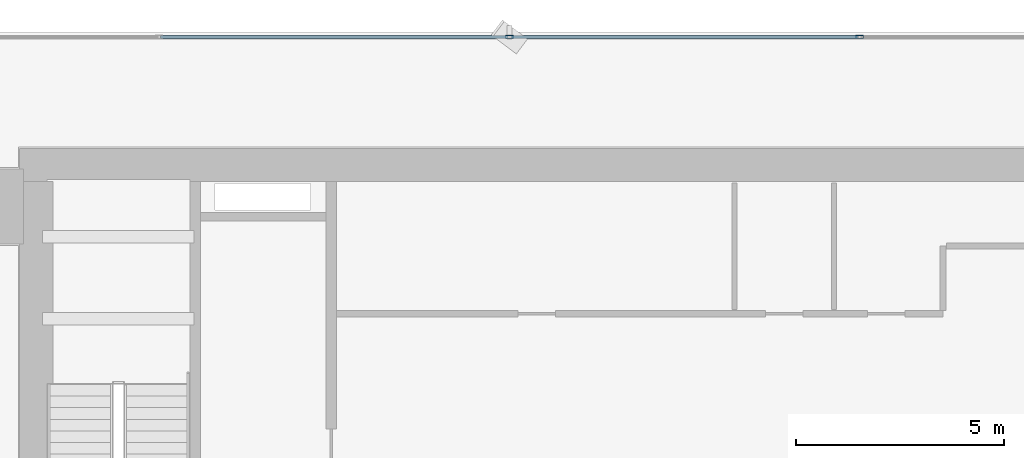
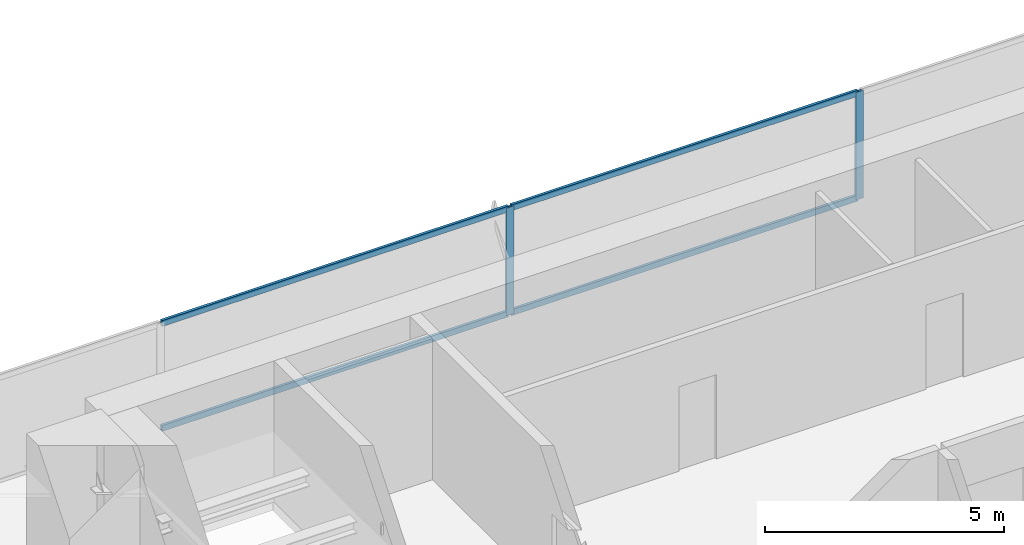
# One storey, part 18 of 32: 6 members, 1 element without a shape of its own.
"""IFC4 building model written with IfcOpenShell, lengths in metres."""

from ifc_helpers import new_model, si_unit, direction, frame, origin, origin_2d, place, context, subcontext, project, spatial, hollow_rectangle, extrude, source, transform, mapped, material, layer, layer_set, material_profile, profile_set, type_object, element, aggregate, save


model = new_model("IFC4")

# Units and contexts
model_context = context("Model", 3, precision=1e-05, world=origin(), true_north=direction((0.0, 1.0)))
body_context = subcontext(model_context, "Body", "Model", "MODEL_VIEW")
ifc_project = project(units=[si_unit("LENGTHUNIT", "METRE"), si_unit("AREAUNIT", "SQUARE_METRE"), si_unit("VOLUMEUNIT", "CUBIC_METRE"), si_unit("PLANEANGLEUNIT", "RADIAN"), si_unit("MASSUNIT", "GRAM", prefix="KILO")], contexts=[model_context])

# Site, building, storey
site_placement = place(None, origin())
site = spatial("IfcSite", under=ifc_project, at=site_placement, CompositionType="ELEMENT")
building_placement = place(site_placement, origin())
building = spatial("IfcBuilding", under=site, at=building_placement, Name="Sumidabori Civic Tower", CompositionType="ELEMENT")
storey_placement = place(building_placement, frame((0.0, 0.0, 45.199951171875)))
storey = spatial("IfcBuildingStorey", under=building, at=storey_placement, Name="L11", CompositionType="ELEMENT", Elevation=45.199951171875)

# Curtain wall, members
ifc_material = material(Name="Anodised Bronze Aluminium AW-6063-T6", Category="aluminium")
ifc_layer = layer(ifc_material, 0.179931640625, Name="Anodised Bronze Aluminium AW-6063-T6")
ifc_layer_set = layer_set([ifc_layer], Name="Anodised Bronze Aluminium AW-6063-T6")
curtain_wall_type = type_object("IfcCurtainWallType", Name="CW-SYS-2", PredefinedType="NOTDEFINED", material=ifc_layer_set)
curtain_wall_placement = place(storey_placement, origin())
curtain_wall = element("IfcCurtainWall", 1, at=curtain_wall_placement, inside=storey, type_object=curtain_wall_type, Name="Curtain Wall CW:L11:R07", PredefinedType="NOTDEFINED")
ifc_material_profile_1 = material_profile(ifc_material, hollow_rectangle(XDim=0.070068359375, YDim=0.179931640625, WallThickness=0.006103515625, at=origin_2d()), Name="ALU MULLION 180x70")
ifc_profile_set_1 = profile_set([ifc_material_profile_1], Name="Anodised Bronze Aluminium AW-6063-T6")
member_type_1 = type_object("IfcMemberType", Name="CW-MUL-180", PredefinedType="MULLION", material=ifc_profile_set_1)
shared_shape_1 = source(origin(), body_context, "Body", "SweptSolid", [
    extrude(hollow_rectangle(XDim=0.070068359375, YDim=0.179931640625, WallThickness=0.006103515625, at=origin_2d()), origin(), (0.0, 0.0, 1.0), 2.739990234375),
])
member_1_placement = place(storey_placement, frame((4.214111328125, 26.8798828125, 0.0), z_axis=(0.0, 0.0, 1.0), x_axis=(0.0, -1.0, 0.0)))
member_1 = element("IfcMember", 2, at=member_1_placement, type_object=member_type_1, Name="CW-2 mullion 3", PredefinedType="MULLION", context=body_context, shape_type="MappedRepresentation", body=[
    mapped(shared_shape_1, transform((0.0, 0.0, 0.0), x_axis=(1.0, 0.0, 0.0), y_axis=(0.0, 1.0, 0.0), z_axis=(0.0, 0.0, 1.0), scale=1.0)),
])
member_2_placement = place(storey_placement, frame((-4.214111328125, 26.8798828125, 0.0), z_axis=(0.0, 0.0, 1.0), x_axis=(0.0, -1.0, 0.0)))
member_2 = element("IfcMember", 3, at=member_2_placement, type_object=member_type_1, Name="CW-2 mullion 4", PredefinedType="MULLION", context=body_context, shape_type="MappedRepresentation", body=[
    mapped(shared_shape_1, transform((0.0, 0.0, 0.0), x_axis=(1.0, 0.0, 0.0), y_axis=(0.0, 1.0, 0.0), z_axis=(0.0, 0.0, 1.0), scale=1.0)),
])
ifc_material_profile_2 = material_profile(ifc_material, hollow_rectangle(XDim=0.06494140625, YDim=0.14990234375, WallThickness=0.0048828125, at=origin_2d()), Name="ALU TRANSOM 150x65")
ifc_profile_set_2 = profile_set([ifc_material_profile_2], Name="Anodised Bronze Aluminium AW-6063-T6")
member_type_2 = type_object("IfcMemberType", Name="CW-TRN-150", PredefinedType="USERDEFINED", material=ifc_profile_set_2)
shared_shape_2 = source(origin(), body_context, "Body", "SweptSolid", [
    extrude(hollow_rectangle(XDim=0.06494140625, YDim=0.14990234375, WallThickness=0.0048828125, at=origin_2d()), origin(), (0.0, 0.0, 1.0), 8.35791015625),
])
member_3_placement = place(storey_placement, frame((4.178955078125, 26.8798828125, 0.032470703125), z_axis=(-1.0, 0.0, 0.0), x_axis=(0.0, -1.0, 0.0)))
member_3 = element("IfcMember", 4, at=member_3_placement, type_object=member_type_2, Name="CW-2 transom 3.1", ObjectType="TRANSOM", PredefinedType="USERDEFINED", context=body_context, shape_type="MappedRepresentation", body=[
    mapped(shared_shape_2, transform((0.0, 0.0, 0.0), x_axis=(1.0, 0.0, 0.0), y_axis=(0.0, 1.0, 0.0), z_axis=(0.0, 0.0, 1.0), scale=1.0)),
])
member_4_placement = place(storey_placement, frame((4.178955078125, 26.8798828125, 2.70751953125), z_axis=(-1.0, 0.0, 0.0), x_axis=(0.0, -1.0, 0.0)))
member_4 = element("IfcMember", 5, at=member_4_placement, type_object=member_type_2, Name="CW-2 transom 3.2", ObjectType="TRANSOM", PredefinedType="USERDEFINED", context=body_context, shape_type="MappedRepresentation", body=[
    mapped(shared_shape_2, transform((0.0, 0.0, 0.0), x_axis=(1.0, 0.0, 0.0), y_axis=(0.0, 1.0, 0.0), z_axis=(0.0, 0.0, 1.0), scale=1.0)),
])
member_5_placement = place(storey_placement, frame((-4.2490234375, 26.8798828125, 0.032470703125), z_axis=(-1.0, 0.0, 0.0), x_axis=(0.0, -1.0, 0.0)))
member_5 = element("IfcMember", 6, at=member_5_placement, type_object=member_type_2, Name="CW-2 transom 4.1", ObjectType="TRANSOM", PredefinedType="USERDEFINED", context=body_context, shape_type="MappedRepresentation", body=[
    mapped(shared_shape_2, transform((0.0, 0.0, 0.0), x_axis=(1.0, 0.0, 0.0), y_axis=(0.0, 1.0, 0.0), z_axis=(0.0, 0.0, 1.0), scale=1.0)),
])
member_6_placement = place(storey_placement, frame((-4.2490234375, 26.8798828125, 2.70751953125), z_axis=(-1.0, 0.0, 0.0), x_axis=(0.0, -1.0, 0.0)))
member_6 = element("IfcMember", 7, at=member_6_placement, type_object=member_type_2, Name="CW-2 transom 4.2", ObjectType="TRANSOM", PredefinedType="USERDEFINED", context=body_context, shape_type="MappedRepresentation", body=[
    mapped(shared_shape_2, transform((0.0, 0.0, 0.0), x_axis=(1.0, 0.0, 0.0), y_axis=(0.0, 1.0, 0.0), z_axis=(0.0, 0.0, 1.0), scale=1.0)),
])
aggregate(curtain_wall, [member_1, member_2, member_3, member_4, member_5, member_6])

save(model, "model.ifc")
